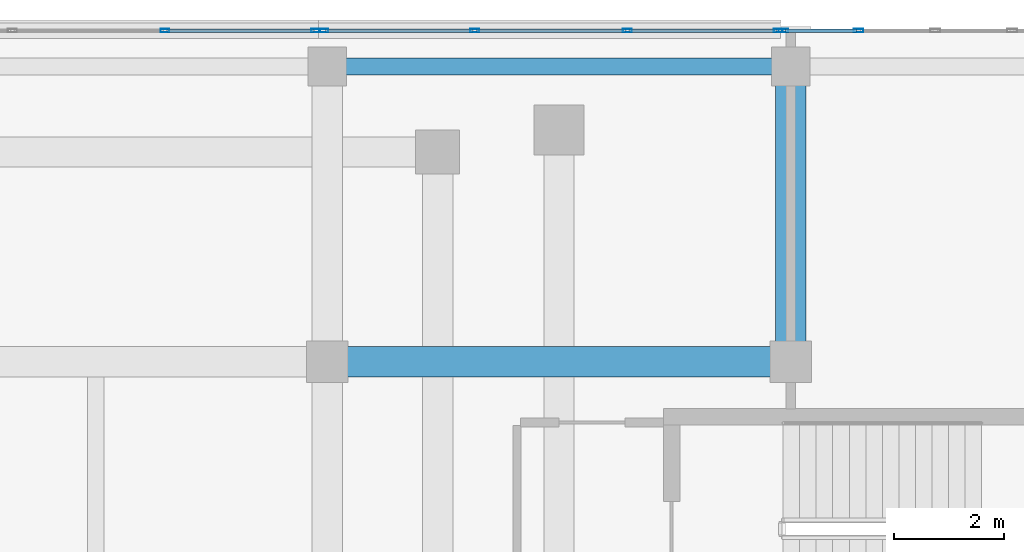
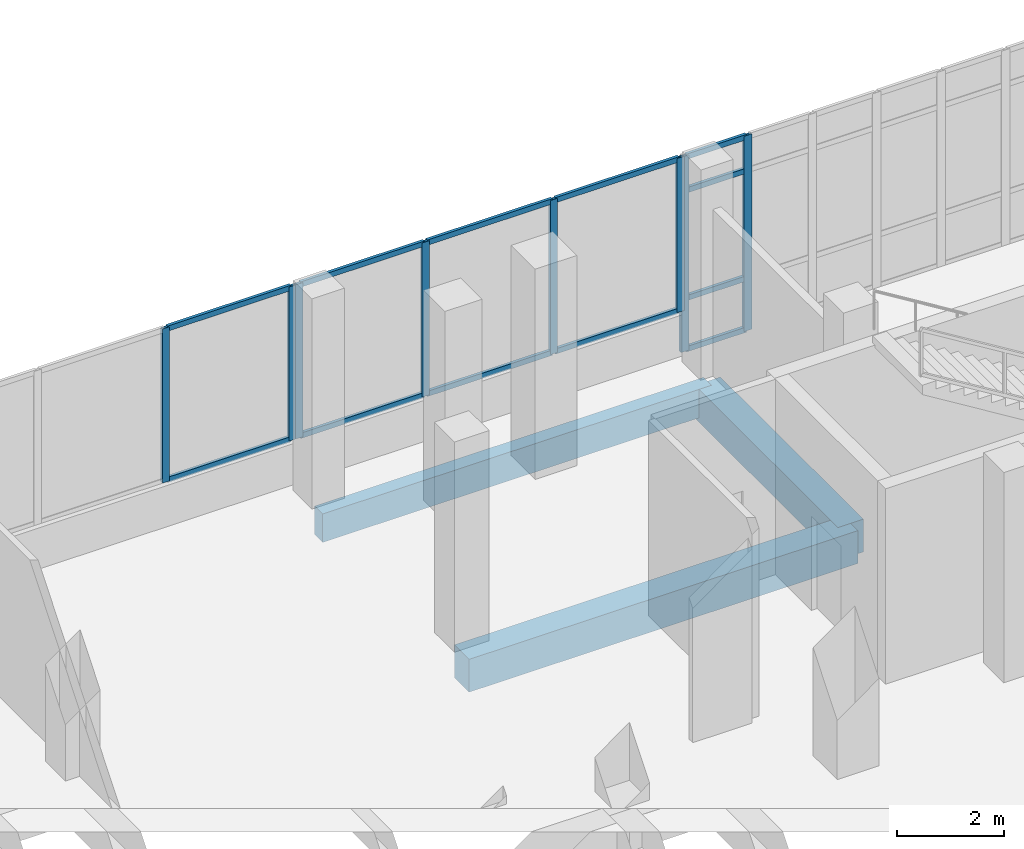
# One storey, part 82 of 155: 20 members, 3 beams, 3 elements without a shape of their own.
"""IFC4 building model written with IfcOpenShell, lengths in metres."""

import ifcopenshell
import ifcopenshell.guid

model = None  # the IFC model being written
_history = None  # IfcOwnerHistory: only IFC2X3 demands one
_inside = {}  # id of a spatial element -> (the spatial element, [elements in it])
_under = {}  # id of a project, library or spatial element -> (it, [spatial elements below it])
_declared = {}  # id of a project -> (the project, [libraries it declares])
_typed = {}  # id of a type object -> (the type object, [elements of that type])
_made_of = {}  # id of a material, layer set ... -> (it, [elements and type objects made of it])


def new_model(schema):
    """Start an empty IFC model of exactly this schema.

    Asked for "IFC4X3", IfcOpenShell would pick the latest addendum, in which some entities
    have other attributes; the version numbers below select the first issue.
    IFC2X3 requires an IfcOwnerHistory on every rooted entity: one is made here for all.
    """
    global model, _history
    if schema == "IFC4X3":
        model = ifcopenshell.file(schema_version=(4, 3, 0, 0))
    else:
        model = ifcopenshell.file(schema=schema)
    _inside.clear()
    _under.clear()
    _declared.clear()
    _typed.clear()
    _made_of.clear()
    _history = None
    if model.schema == "IFC2X3":
        org = make("IfcOrganization", Name="unknown")
        user = make(
            "IfcPersonAndOrganization",
            ThePerson=make("IfcPerson", FamilyName="unknown"),
            TheOrganization=org,
        )
        app = make(
            "IfcApplication",
            ApplicationDeveloper=org,
            Version="unknown",
            ApplicationFullName="unknown",
            ApplicationIdentifier="unknown",
        )
        _history = make(
            "IfcOwnerHistory",
            OwningUser=user,
            OwningApplication=app,
            ChangeAction="ADDED",
            CreationDate=0,
        )
    return model


def make(cls, **values):
    """One entity of the class cls with the attributes given. An attribute that is None is left unset."""
    return model.create_entity(
        cls, **{name: value for name, value in values.items() if value is not None}
    )


def rooted(cls, **values):
    """An entity with a GlobalId (a new one), such as an element, a storey or a relation."""
    return make(cls, GlobalId=ifcopenshell.guid.new(), OwnerHistory=_history, **values)


def si_unit(unit_type, name, prefix=None):
    """IfcSIUnit, for example si_unit("LENGTHUNIT", "METRE", prefix="MILLI")."""
    return make("IfcSIUnit", UnitType=unit_type, Prefix=prefix, Name=name)


def assignment(units):
    """IfcUnitAssignment: the units of a project."""
    return None if units is None else make("IfcUnitAssignment", Units=units)


def point(xyz):
    """IfcCartesianPoint."""
    return None if xyz is None else make("IfcCartesianPoint", Coordinates=xyz)


def direction(xyz):
    """IfcDirection."""
    return None if xyz is None else make("IfcDirection", DirectionRatios=xyz)


def frame(location, z_axis=None, x_axis=None):
    """IfcAxis2Placement3D, a coordinate frame: its origin and axes. An axis left out is left unset."""
    return make(
        "IfcAxis2Placement3D",
        Location=point(location),
        Axis=direction(z_axis),
        RefDirection=direction(x_axis),
    )


def frame_2d(location, x_axis=None):
    """IfcAxis2Placement2D, a coordinate frame in the plane: its origin and x axis."""
    return make(
        "IfcAxis2Placement2D", Location=point(location), RefDirection=direction(x_axis)
    )


def origin():
    """The frame at (0, 0, 0) with its axes left unset."""
    return frame((0.0, 0.0, 0.0))


def origin_2d():
    """The frame at (0, 0) in the plane with its x axis left unset."""
    return frame_2d((0.0, 0.0))


def place(relative_to, where):
    """IfcLocalPlacement: puts the frame where relative to a parent placement (None: the world)."""
    return make(
        "IfcLocalPlacement", PlacementRelTo=relative_to, RelativePlacement=where
    )


def context(
    kind, dimensions, precision=None, world=None, true_north=None, identifier=None
):
    """IfcGeometricRepresentationContext, for example the 3D "Model" context."""
    return make(
        "IfcGeometricRepresentationContext",
        ContextIdentifier=identifier,
        ContextType=kind,
        CoordinateSpaceDimension=dimensions,
        Precision=precision,
        WorldCoordinateSystem=world,
        TrueNorth=true_north,
    )


def subcontext(parent, identifier, kind, view, scale=None):
    """IfcGeometricRepresentationSubContext, for example "Body" below "Model"."""
    return make(
        "IfcGeometricRepresentationSubContext",
        ContextIdentifier=identifier,
        ContextType=kind,
        ParentContext=parent,
        TargetScale=scale,
        TargetView=view,
    )


def project(units=None, contexts=None):
    """IfcProject with its units and contexts."""
    return rooted(
        "IfcProject",
        Name="project",
        RepresentationContexts=contexts,
        UnitsInContext=assignment(units),
    )


def spatial(cls, under=None, at=None, **own):
    """A site, building, storey or space (cls), placed at a placement, below another one or the project."""
    s = rooted(cls, ObjectPlacement=at, **own)
    if under is not None:
        _under.setdefault(under.id(), (under, []))[1].append(s)
    return s


def profile(cls, at=None, kind="AREA", **sizes):
    """A parametric profile (cls). Its sizes go by their IFC names, for example OverallWidth=200.0."""
    return make(cls, ProfileType=kind, Position=at, **sizes)


def rectangle(**sizes):
    """IfcRectangleProfileDef."""
    return profile("IfcRectangleProfileDef", **sizes)


def hollow_rectangle(**sizes):
    """IfcRectangleHollowProfileDef."""
    return profile("IfcRectangleHollowProfileDef", **sizes)


def extrude(swept, where, along, depth):
    """IfcExtrudedAreaSolid: the profile swept, set in the frame where, extruded along a direction by depth."""
    return make(
        "IfcExtrudedAreaSolid",
        SweptArea=swept,
        Position=where,
        ExtrudedDirection=direction(along),
        Depth=depth,
    )


def shape(context_of_items, identifier, shape_type, items):
    """IfcShapeRepresentation: the items that make up one representation, for example the "Body"."""
    return make(
        "IfcShapeRepresentation",
        ContextOfItems=context_of_items,
        RepresentationIdentifier=identifier,
        RepresentationType=shape_type,
        Items=items,
    )


def material(Name=None, Category=None):
    """IfcMaterial."""
    return make("IfcMaterial", Name=Name, Category=Category)


def material_profile(
    of_material, cross_section, Name=None, Category=None, Priority=None
):
    """IfcMaterialProfile: a cross section and its material."""
    return make(
        "IfcMaterialProfile",
        Name=Name,
        Material=of_material,
        Profile=cross_section,
        Priority=Priority,
        Category=Category,
    )


def profile_set(profiles, Name=None, composite=None):
    """IfcMaterialProfileSet."""
    return make(
        "IfcMaterialProfileSet",
        Name=Name,
        MaterialProfiles=profiles,
        CompositeProfile=composite,
    )


def made_of(thing, what):
    """Note that an element or type object is made of a material, layer set ...; save() writes the relation."""
    if what is not None:
        _made_of.setdefault(what.id(), (what, []))[1].append(thing)
    return thing


def type_object(cls, material=None, **own):
    """A type object (cls), such as IfcWallType, which elements share."""
    return made_of(rooted(cls, **own), material)


def element(
    cls,
    number,
    at=None,
    inside=None,
    cuts=None,
    type_object=None,
    material=None,
    context=None,
    identifier="Body",
    shape_type=None,
    held_by="IfcProductDefinitionShape",
    body=None,
    shapes=None,
    **own,
):
    """One element of the class cls, such as IfcWall. Its Tag is "e" and its number.

    at: its placement. inside: the storey or other place that contains it. cuts: it is an
    opening in that element (IfcRelVoidsElement). A single representation is given by context,
    identifier, shape_type and body (its items); several are given by shapes. held_by: the class
    of the entity that holds the representations. save() writes the other relations.
    """
    e = rooted(cls, Tag="e%d" % number, ObjectPlacement=at, **own)
    if body is not None:
        shapes = [shape(context, identifier, shape_type, body)]
    if shapes is not None:
        e.Representation = make(held_by, Representations=shapes)
    if inside is not None:
        _inside.setdefault(inside.id(), (inside, []))[1].append(e)
    if cuts is not None:
        rooted(
            "IfcRelVoidsElement", RelatingBuildingElement=cuts, RelatedOpeningElement=e
        )
    if type_object is not None:
        _typed.setdefault(type_object.id(), (type_object, []))[1].append(e)
    return made_of(e, material)


def aggregate(whole, parts):
    """IfcRelAggregates: a whole, such as a stair, and the parts it consists of."""
    return rooted("IfcRelAggregates", RelatingObject=whole, RelatedObjects=parts)


def save(model, path):
    """Write the relations noted so far, then the file.

    IfcRelAggregates (storeys below a building ...), IfcRelContainedInSpatialStructure (elements
    in a storey), IfcRelDefinesByType, IfcRelAssociatesMaterial and IfcRelDeclares: one each for
    every whole, place, type object, material and project.
    """
    for whole, parts in _under.values():
        aggregate(whole, parts)
    for where, things in _inside.values():
        rooted(
            "IfcRelContainedInSpatialStructure",
            RelatedElements=things,
            RelatingStructure=where,
        )
    for kind, things in _typed.values():
        rooted("IfcRelDefinesByType", RelatedObjects=things, RelatingType=kind)
    for what, things in _made_of.values():
        rooted("IfcRelAssociatesMaterial", RelatedObjects=things, RelatingMaterial=what)
    for by, libraries in _declared.values():
        rooted("IfcRelDeclares", RelatingContext=by, RelatedDefinitions=libraries)
    model.write(path)


model = new_model("IFC4")

# Units and contexts
model_context = context("Model", 3, precision=1e-05, world=origin(), true_north=direction((0.0, 1.0)))
body_context = subcontext(model_context, "Body", "Model", "MODEL_VIEW")
ifc_project = project(units=[si_unit("LENGTHUNIT", "METRE"), si_unit("AREAUNIT", "SQUARE_METRE"), si_unit("VOLUMEUNIT", "CUBIC_METRE"), si_unit("PLANEANGLEUNIT", "RADIAN"), si_unit("MASSUNIT", "GRAM", prefix="KILO")], contexts=[model_context])

# Site, building, storey
site_placement = place(None, origin())
site = spatial("IfcSite", under=ifc_project, at=site_placement, CompositionType="ELEMENT")
building_placement = place(site_placement, origin())
building = spatial("IfcBuilding", under=site, at=building_placement, Name="Selatvlak General Hospital", CompositionType="ELEMENT")
storey_placement = place(building_placement, frame((0.0, 0.0, 10.199951171875)))
storey = spatial("IfcBuildingStorey", under=building, at=storey_placement, Name="L02", CompositionType="ELEMENT", Elevation=10.199951171875)

# Beams
ifc_material_1 = material(Name="Concrete C40/50", Category="concrete")
ifc_material_profile_1 = material_profile(ifc_material_1, rectangle(XDim=0.550048828125, YDim=0.75, at=origin_2d()), Name="RC-BM 550x750")
ifc_profile_set_1 = profile_set([ifc_material_profile_1], Name="Concrete C40/50")
beam_type_1 = type_object("IfcBeamType", Name="BM-G02", PredefinedType="BEAM", material=ifc_profile_set_1)
beam_1_placement = place(storey_placement, frame((81.60009765625, 114.0, -0.72998046875), z_axis=(1.0, 0.0, 0.0), x_axis=(0.0, 1.0, 0.0)))
element("IfcBeam", 1, at=beam_1_placement, inside=storey, type_object=beam_type_1, Name="Beam BMR-L02-0901", PredefinedType="BEAM", context=body_context, shape_type="SweptSolid", body=[
    extrude(rectangle(XDim=0.550048828125, YDim=0.75, at=origin_2d()), origin(), (0.0, 0.0, 1.0), 8.39990234375),
])
beam_2_placement = place(storey_placement, frame((90.0, 114.0, -0.72998046875), z_axis=(0.0, 1.0, 0.0), x_axis=(-1.0, 0.0, 0.0)))
element("IfcBeam", 2, at=beam_2_placement, inside=storey, type_object=beam_type_1, Name="Beam BMR-L02-0996", PredefinedType="BEAM", context=body_context, shape_type="SweptSolid", body=[
    extrude(rectangle(XDim=0.550048828125, YDim=0.75, at=origin_2d()), origin(), (0.0, 0.0, 1.0), 5.35009765625),
])
ifc_material_profile_2 = material_profile(ifc_material_1, rectangle(XDim=0.300048828125, YDim=0.64990234375, at=origin_2d()), Name="RC-SP 300x650")
ifc_profile_set_2 = profile_set([ifc_material_profile_2], Name="Concrete C40/50")
beam_type_2 = type_object("IfcBeamType", Name="BM-SP1", PredefinedType="SPANDREL", material=ifc_profile_set_2)
beam_3_placement = place(storey_placement, frame((81.60009765625, 119.35009765625, -0.679931640625), z_axis=(1.0, 0.0, 0.0), x_axis=(0.0, 1.0, 0.0)))
element("IfcBeam", 3, at=beam_3_placement, inside=storey, type_object=beam_type_2, Name="Beam BMR-L02-0914", PredefinedType="SPANDREL", context=body_context, shape_type="SweptSolid", body=[
    extrude(rectangle(XDim=0.300048828125, YDim=0.64990234375, at=origin_2d()), origin(), (0.0, 0.0, 1.0), 8.39990234375),
])

# Curtain wall, members
ifc_material_2 = material(Name="Solar-control Low-E double glazing", Category="glass")
curtain_wall_type_1 = type_object("IfcCurtainWallType", Name="CW-CW-01", PredefinedType="USERDEFINED", material=ifc_material_2)
curtain_wall_1_placement = place(storey_placement, origin())
curtain_wall_1 = element("IfcCurtainWall", 4, at=curtain_wall_1_placement, inside=storey, type_object=curtain_wall_type_1, Name="Glazed facade curtain wall CW-L02-0250", ObjectType="UNITISED CURTAIN WALL", PredefinedType="USERDEFINED")
ifc_material_3 = material(Name="Dark anodised aluminium mullion", Category="aluminium")
ifc_material_profile_3 = material_profile(ifc_material_3, hollow_rectangle(XDim=0.06494140625, YDim=0.159912109375, WallThickness=0.00390625, at=origin_2d()), Name="AL-MUL 65x160x4")
ifc_profile_set_3 = profile_set([ifc_material_profile_3], Name="Dark anodised aluminium mullion")
member_type_1 = type_object("IfcMemberType", Name="CWM-01", PredefinedType="MULLION", material=ifc_profile_set_3)
member_1_placement = place(storey_placement, frame((78.658447265625, 119.9990234375, 0.93994140625), z_axis=(0.0, 0.0, 1.0), x_axis=(0.0, 1.0, 0.0)))
member_1 = element("IfcMember", 5, at=member_1_placement, type_object=member_type_1, Name="CW-01 mullion 3", PredefinedType="MULLION", context=body_context, shape_type="SweptSolid", body=[
    extrude(hollow_rectangle(XDim=0.06494140625, YDim=0.159912109375, WallThickness=0.00390625, at=origin_2d()), origin(), (0.0, 0.0, 1.0), 3.52001953125),
])
member_2_placement = place(storey_placement, frame((81.392578125, 119.9990234375, 0.93994140625), z_axis=(0.0, 0.0, 1.0), x_axis=(0.0, 1.0, 0.0)))
member_2 = element("IfcMember", 6, at=member_2_placement, type_object=member_type_1, Name="CW-01 mullion 4", PredefinedType="MULLION", context=body_context, shape_type="SweptSolid", body=[
    extrude(hollow_rectangle(XDim=0.06494140625, YDim=0.159912109375, WallThickness=0.00390625, at=origin_2d()), origin(), (0.0, 0.0, 1.0), 3.52001953125),
])

curtain_wall_type_2 = type_object("IfcCurtainWallType", Name="CW-CW-02", PredefinedType="USERDEFINED", material=ifc_material_2)
curtain_wall_2_placement = place(storey_placement, origin())
curtain_wall_2 = element("IfcCurtainWall", 7, at=curtain_wall_2_placement, inside=storey, type_object=curtain_wall_type_2, Name="Glazed facade curtain wall CW-L02-0251", ObjectType="UNITISED CURTAIN WALL", PredefinedType="USERDEFINED")
member_3_placement = place(storey_placement, frame((81.53759765625, 119.9990234375, 0.93994140625), z_axis=(0.0, 0.0, 1.0), x_axis=(0.0, 1.0, 0.0)))
member_3 = element("IfcMember", 8, at=member_3_placement, type_object=member_type_1, Name="CW-02 mullion 1", PredefinedType="MULLION", context=body_context, shape_type="SweptSolid", body=[
    extrude(hollow_rectangle(XDim=0.06494140625, YDim=0.159912109375, WallThickness=0.00390625, at=origin_2d()), origin(), (0.0, 0.0, 1.0), 3.52001953125),
])
member_4_placement = place(storey_placement, frame((84.271728515625, 119.9990234375, 0.93994140625), z_axis=(0.0, 0.0, 1.0), x_axis=(0.0, 1.0, 0.0)))
member_4 = element("IfcMember", 9, at=member_4_placement, type_object=member_type_1, Name="CW-02 mullion 2", PredefinedType="MULLION", context=body_context, shape_type="SweptSolid", body=[
    extrude(hollow_rectangle(XDim=0.06494140625, YDim=0.159912109375, WallThickness=0.00390625, at=origin_2d()), origin(), (0.0, 0.0, 1.0), 3.52001953125),
])
member_5_placement = place(storey_placement, frame((87.038330078125, 119.9990234375, 0.93994140625), z_axis=(0.0, 0.0, 1.0), x_axis=(0.0, 1.0, 0.0)))
member_5 = element("IfcMember", 10, at=member_5_placement, type_object=member_type_1, Name="CW-02 mullion 3", PredefinedType="MULLION", context=body_context, shape_type="SweptSolid", body=[
    extrude(hollow_rectangle(XDim=0.06494140625, YDim=0.159912109375, WallThickness=0.00390625, at=origin_2d()), origin(), (0.0, 0.0, 1.0), 3.52001953125),
])
member_6_placement = place(storey_placement, frame((89.7724609375, 119.9990234375, 0.93994140625), z_axis=(0.0, 0.0, 1.0), x_axis=(0.0, 1.0, 0.0)))
member_6 = element("IfcMember", 11, at=member_6_placement, type_object=member_type_1, Name="CW-02 mullion 4", PredefinedType="MULLION", context=body_context, shape_type="SweptSolid", body=[
    extrude(hollow_rectangle(XDim=0.06494140625, YDim=0.159912109375, WallThickness=0.00390625, at=origin_2d()), origin(), (0.0, 0.0, 1.0), 3.52001953125),
])

curtain_wall_type_3 = type_object("IfcCurtainWallType", Name="CW-CW-04", PredefinedType="USERDEFINED", material=ifc_material_2)
curtain_wall_3_placement = place(storey_placement, origin())
curtain_wall_3 = element("IfcCurtainWall", 12, at=curtain_wall_3_placement, inside=storey, type_object=curtain_wall_type_3, Name="Glazed facade curtain wall CW-L02-0252", ObjectType="STICK GLAZING WALL", PredefinedType="USERDEFINED")
ifc_material_profile_4 = material_profile(ifc_material_3, hollow_rectangle(XDim=0.06494140625, YDim=0.179931640625, WallThickness=0.00439453125, at=origin_2d()), Name="AL-MUL 65x180x4.5")
ifc_profile_set_4 = profile_set([ifc_material_profile_4], Name="Dark anodised aluminium mullion")
member_type_2 = type_object("IfcMemberType", Name="CWM-02", PredefinedType="MULLION", material=ifc_profile_set_4)
member_7_placement = place(storey_placement, frame((89.867431640625, 119.9990234375, 0.0), z_axis=(0.0, 0.0, 1.0), x_axis=(0.0, 1.0, 0.0)))
member_7 = element("IfcMember", 13, at=member_7_placement, type_object=member_type_2, Name="CW-04 mullion 1", PredefinedType="MULLION", context=body_context, shape_type="SweptSolid", body=[
    extrude(hollow_rectangle(XDim=0.06494140625, YDim=0.179931640625, WallThickness=0.00439453125, at=origin_2d()), origin(), (0.0, 0.0, 1.0), 4.4599609375),
])
member_8_placement = place(storey_placement, frame((91.2265625, 119.9990234375, 0.0), z_axis=(0.0, 0.0, 1.0), x_axis=(0.0, 1.0, 0.0)))
member_8 = element("IfcMember", 14, at=member_8_placement, type_object=member_type_2, Name="CW-04 mullion 2", PredefinedType="MULLION", context=body_context, shape_type="SweptSolid", body=[
    extrude(hollow_rectangle(XDim=0.06494140625, YDim=0.179931640625, WallThickness=0.00439453125, at=origin_2d()), origin(), (0.0, 0.0, 1.0), 4.4599609375),
])

# Member
ifc_material_profile_5 = material_profile(ifc_material_3, hollow_rectangle(XDim=0.06494140625, YDim=0.1201171875, WallThickness=0.00390625, at=origin_2d()), Name="AL-TRN 65x120x4")
ifc_profile_set_5 = profile_set([ifc_material_profile_5], Name="Dark anodised aluminium mullion")
member_type_3 = type_object("IfcMemberType", Name="CWT-01", PredefinedType="USERDEFINED", material=ifc_profile_set_5)
member_9_placement = place(storey_placement, frame((78.69091796875, 119.9990234375, 0.97265625), z_axis=(1.0, 0.0, 0.0), x_axis=(0.0, 1.0, 0.0)))
member_9 = element("IfcMember", 15, at=member_9_placement, type_object=member_type_3, Name="CW-01 transom 3.1", ObjectType="TRANSOM", PredefinedType="USERDEFINED", context=body_context, shape_type="SweptSolid", body=[
    extrude(hollow_rectangle(XDim=0.06494140625, YDim=0.1201171875, WallThickness=0.00390625, at=origin_2d()), origin(), (0.0, 0.0, 1.0), 2.669189453125),
])

member_10_placement = place(storey_placement, frame((78.69091796875, 119.9990234375, 4.427490234375), z_axis=(1.0, 0.0, 0.0), x_axis=(0.0, 1.0, 0.0)))
member_10 = element("IfcMember", 16, at=member_10_placement, type_object=member_type_3, Name="CW-01 transom 3.2", ObjectType="TRANSOM", PredefinedType="USERDEFINED", context=body_context, shape_type="SweptSolid", body=[
    extrude(hollow_rectangle(XDim=0.06494140625, YDim=0.1201171875, WallThickness=0.00390625, at=origin_2d()), origin(), (0.0, 0.0, 1.0), 2.669189453125),
])

aggregate(curtain_wall_1, [member_1, member_2, member_9, member_10])

member_11_placement = place(storey_placement, frame((81.570068359375, 119.9990234375, 0.97265625), z_axis=(1.0, 0.0, 0.0), x_axis=(0.0, 1.0, 0.0)))
member_11 = element("IfcMember", 17, at=member_11_placement, type_object=member_type_3, Name="CW-02 transom 1.1", ObjectType="TRANSOM", PredefinedType="USERDEFINED", context=body_context, shape_type="SweptSolid", body=[
    extrude(hollow_rectangle(XDim=0.06494140625, YDim=0.1201171875, WallThickness=0.00390625, at=origin_2d()), origin(), (0.0, 0.0, 1.0), 2.669189453125),
])

member_12_placement = place(storey_placement, frame((81.570068359375, 119.9990234375, 4.427490234375), z_axis=(1.0, 0.0, 0.0), x_axis=(0.0, 1.0, 0.0)))
member_12 = element("IfcMember", 18, at=member_12_placement, type_object=member_type_3, Name="CW-02 transom 1.2", ObjectType="TRANSOM", PredefinedType="USERDEFINED", context=body_context, shape_type="SweptSolid", body=[
    extrude(hollow_rectangle(XDim=0.06494140625, YDim=0.1201171875, WallThickness=0.00390625, at=origin_2d()), origin(), (0.0, 0.0, 1.0), 2.669189453125),
])

member_13_placement = place(storey_placement, frame((84.30419921875, 119.9990234375, 0.97265625), z_axis=(1.0, 0.0, 0.0), x_axis=(0.0, 1.0, 0.0)))
member_13 = element("IfcMember", 19, at=member_13_placement, type_object=member_type_3, Name="CW-02 transom 2.1", ObjectType="TRANSOM", PredefinedType="USERDEFINED", context=body_context, shape_type="SweptSolid", body=[
    extrude(hollow_rectangle(XDim=0.06494140625, YDim=0.1201171875, WallThickness=0.00390625, at=origin_2d()), origin(), (0.0, 0.0, 1.0), 2.70166015625),
])

member_14_placement = place(storey_placement, frame((84.30419921875, 119.9990234375, 4.427490234375), z_axis=(1.0, 0.0, 0.0), x_axis=(0.0, 1.0, 0.0)))
member_14 = element("IfcMember", 20, at=member_14_placement, type_object=member_type_3, Name="CW-02 transom 2.2", ObjectType="TRANSOM", PredefinedType="USERDEFINED", context=body_context, shape_type="SweptSolid", body=[
    extrude(hollow_rectangle(XDim=0.06494140625, YDim=0.1201171875, WallThickness=0.00390625, at=origin_2d()), origin(), (0.0, 0.0, 1.0), 2.70166015625),
])

member_15_placement = place(storey_placement, frame((87.07080078125, 119.9990234375, 0.97265625), z_axis=(1.0, 0.0, 0.0), x_axis=(0.0, 1.0, 0.0)))
member_15 = element("IfcMember", 21, at=member_15_placement, type_object=member_type_3, Name="CW-02 transom 3.1", ObjectType="TRANSOM", PredefinedType="USERDEFINED", context=body_context, shape_type="SweptSolid", body=[
    extrude(hollow_rectangle(XDim=0.06494140625, YDim=0.1201171875, WallThickness=0.00390625, at=origin_2d()), origin(), (0.0, 0.0, 1.0), 2.669189453125),
])

member_16_placement = place(storey_placement, frame((87.07080078125, 119.9990234375, 4.427490234375), z_axis=(1.0, 0.0, 0.0), x_axis=(0.0, 1.0, 0.0)))
member_16 = element("IfcMember", 22, at=member_16_placement, type_object=member_type_3, Name="CW-02 transom 3.2", ObjectType="TRANSOM", PredefinedType="USERDEFINED", context=body_context, shape_type="SweptSolid", body=[
    extrude(hollow_rectangle(XDim=0.06494140625, YDim=0.1201171875, WallThickness=0.00390625, at=origin_2d()), origin(), (0.0, 0.0, 1.0), 2.669189453125),
])

aggregate(curtain_wall_2, [member_3, member_4, member_5, member_6, member_11, member_12, member_13, member_14, member_15, member_16])

member_17_placement = place(storey_placement, frame((89.89990234375, 119.9990234375, 0.032470703125), z_axis=(1.0, 0.0, 0.0), x_axis=(0.0, 1.0, 0.0)))
member_17 = element("IfcMember", 23, at=member_17_placement, type_object=member_type_3, Name="CW-04 transom 1.1", ObjectType="TRANSOM", PredefinedType="USERDEFINED", context=body_context, shape_type="SweptSolid", body=[
    extrude(hollow_rectangle(XDim=0.06494140625, YDim=0.1201171875, WallThickness=0.00390625, at=origin_2d()), origin(), (0.0, 0.0, 1.0), 1.294189453125),
])

member_18_placement = place(storey_placement, frame((89.89990234375, 119.9990234375, 1.199951171875), z_axis=(1.0, 0.0, 0.0), x_axis=(0.0, 1.0, 0.0)))
member_18 = element("IfcMember", 24, at=member_18_placement, type_object=member_type_3, Name="CW-04 transom 1.2", ObjectType="TRANSOM", PredefinedType="USERDEFINED", context=body_context, shape_type="SweptSolid", body=[
    extrude(hollow_rectangle(XDim=0.06494140625, YDim=0.1201171875, WallThickness=0.00390625, at=origin_2d()), origin(), (0.0, 0.0, 1.0), 1.294189453125),
])

member_19_placement = place(storey_placement, frame((89.89990234375, 119.9990234375, 3.66015625), z_axis=(1.0, 0.0, 0.0), x_axis=(0.0, 1.0, 0.0)))
member_19 = element("IfcMember", 25, at=member_19_placement, type_object=member_type_3, Name="CW-04 transom 1.3", ObjectType="TRANSOM", PredefinedType="USERDEFINED", context=body_context, shape_type="SweptSolid", body=[
    extrude(hollow_rectangle(XDim=0.06494140625, YDim=0.1201171875, WallThickness=0.00390625, at=origin_2d()), origin(), (0.0, 0.0, 1.0), 1.294189453125),
])

member_20_placement = place(storey_placement, frame((89.89990234375, 119.9990234375, 4.427490234375), z_axis=(1.0, 0.0, 0.0), x_axis=(0.0, 1.0, 0.0)))
member_20 = element("IfcMember", 26, at=member_20_placement, type_object=member_type_3, Name="CW-04 transom 1.4", ObjectType="TRANSOM", PredefinedType="USERDEFINED", context=body_context, shape_type="SweptSolid", body=[
    extrude(hollow_rectangle(XDim=0.06494140625, YDim=0.1201171875, WallThickness=0.00390625, at=origin_2d()), origin(), (0.0, 0.0, 1.0), 1.294189453125),
])

aggregate(curtain_wall_3, [member_7, member_8, member_17, member_18, member_19, member_20])

save(model, "model.ifc")
